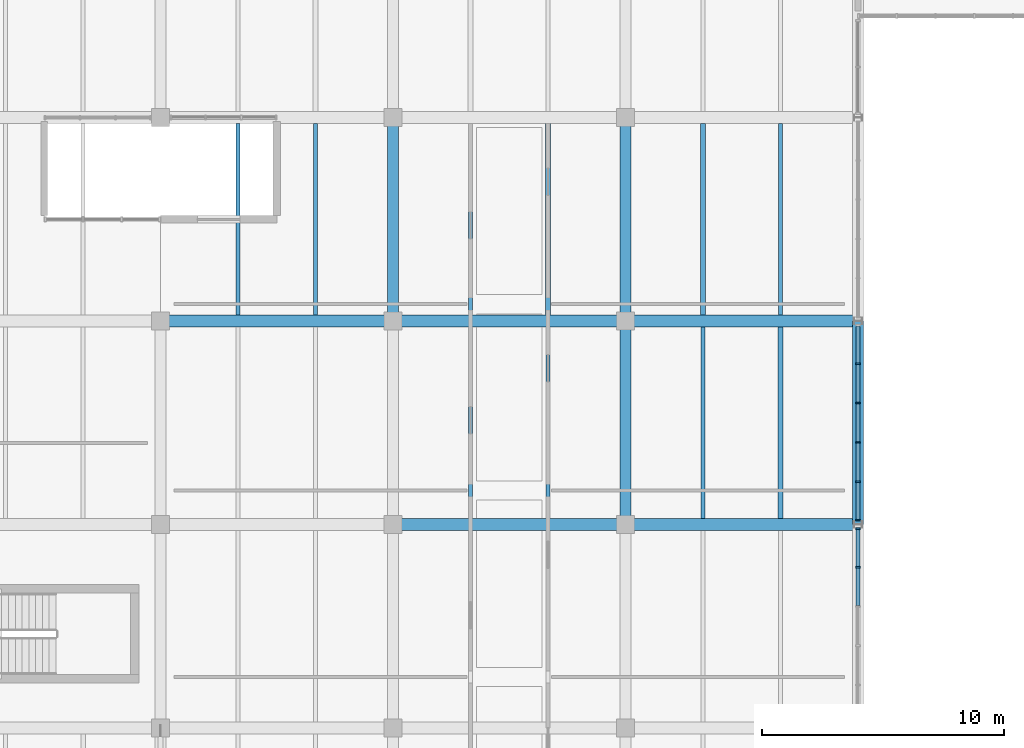
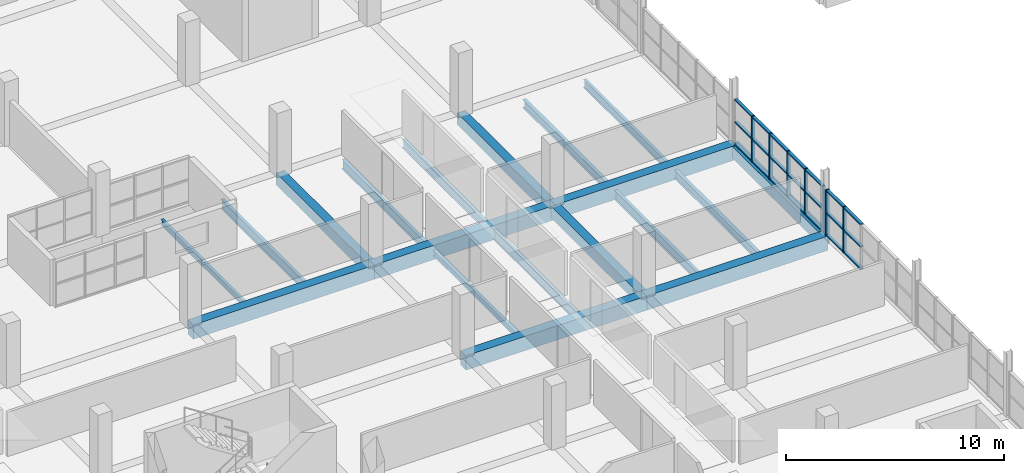
# One storey, part 34 of 147: 28 members, 19 beams, 2 elements without a shape of their own.
"""IFC4 building model written with IfcOpenShell, lengths in metres."""

from ifc_helpers import new_model, si_unit, direction, frame, origin, origin_2d, place, context, subcontext, project, spatial, rectangle, i_section, extrude, material, material_profile, profile_set, type_object, element, aggregate, save


model = new_model("IFC4")

# Units and contexts
model_context = context("Model", 3, precision=1e-05, world=origin(), true_north=direction((0.0, 1.0)))
body_context = subcontext(model_context, "Body", "Model", "MODEL_VIEW")
ifc_project = project(units=[si_unit("LENGTHUNIT", "METRE"), si_unit("AREAUNIT", "SQUARE_METRE"), si_unit("VOLUMEUNIT", "CUBIC_METRE"), si_unit("PLANEANGLEUNIT", "RADIAN"), si_unit("MASSUNIT", "GRAM", prefix="KILO")], contexts=[model_context])

# Site, building, storey
site_placement = place(None, origin())
site = spatial("IfcSite", under=ifc_project, at=site_placement, CompositionType="ELEMENT")
building_placement = place(site_placement, origin())
building = spatial("IfcBuilding", under=site, at=building_placement, Name="Oolite Switchyard Hospital", CompositionType="ELEMENT")
storey_placement = place(building_placement, frame((0.0, 0.0, 9.89990234375)))
storey = spatial("IfcBuildingStorey", under=building, at=storey_placement, Name="L02", CompositionType="ELEMENT", Elevation=9.89990234375)

# Beams
ifc_material_1 = material(Name="Concrete C40/50", Category="concrete")
ifc_material_profile_1 = material_profile(ifc_material_1, rectangle(XDim=0.449951171875, YDim=0.64990234375, at=origin_2d()), Name="RCB450X650")
ifc_profile_set_1 = profile_set([ifc_material_profile_1], Name="Concrete C40/50")
beam_type_1 = type_object("IfcBeamType", Name="BM-RC450X650", PredefinedType="BEAM", material=ifc_profile_set_1)
beam_1_placement = place(storey_placement, frame((38.39990234375, 75.60009765625, -0.324951171875), z_axis=(0.0, 1.0, 0.0), x_axis=(-1.0, 0.0, 0.0)))
element("IfcBeam", 1, at=beam_1_placement, inside=storey, type_object=beam_type_1, Name="L02 Y-Girder 1317", PredefinedType="BEAM", context=body_context, shape_type="SweptSolid", body=[
    extrude(rectangle(XDim=0.449951171875, YDim=0.64990234375, at=origin_2d()), origin(), (0.0, 0.0, 1.0), 8.39990234375),
])
beam_2_placement = place(storey_placement, frame((48.0, 67.199951171875, -0.324951171875), z_axis=(0.0, 1.0, 0.0), x_axis=(-1.0, 0.0, 0.0)))
element("IfcBeam", 2, at=beam_2_placement, inside=storey, type_object=beam_type_1, Name="L02 Y-Girder 1332", PredefinedType="BEAM", context=body_context, shape_type="SweptSolid", body=[
    extrude(rectangle(XDim=0.449951171875, YDim=0.64990234375, at=origin_2d()), origin(), (0.0, 0.0, 1.0), 8.400146484375),
])
beam_3_placement = place(storey_placement, frame((48.0, 75.60009765625, -0.324951171875), z_axis=(0.0, 1.0, 0.0), x_axis=(-1.0, 0.0, 0.0)))
element("IfcBeam", 3, at=beam_3_placement, inside=storey, type_object=beam_type_1, Name="L02 Y-Girder 1333", PredefinedType="BEAM", context=body_context, shape_type="SweptSolid", body=[
    extrude(rectangle(XDim=0.449951171875, YDim=0.64990234375, at=origin_2d()), origin(), (0.0, 0.0, 1.0), 8.39990234375),
])
beam_4_placement = place(storey_placement, frame((57.60009765625, 67.199951171875, -0.324951171875), z_axis=(0.0, 1.0, 0.0), x_axis=(-1.0, 0.0, 0.0)))
element("IfcBeam", 4, at=beam_4_placement, inside=storey, type_object=beam_type_1, Name="L02 Y-Girder 1348", PredefinedType="BEAM", context=body_context, shape_type="SweptSolid", body=[
    extrude(rectangle(XDim=0.449951171875, YDim=0.64990234375, at=origin_2d()), origin(), (0.0, 0.0, 1.0), 8.400146484375),
])
ifc_material_profile_2 = material_profile(ifc_material_1, rectangle(XDim=0.5, YDim=0.800048828125, at=origin_2d()), Name="RCB500X800")
ifc_profile_set_2 = profile_set([ifc_material_profile_2], Name="Concrete C40/50")
beam_type_2 = type_object("IfcBeamType", Name="BM-RC500X800", PredefinedType="BEAM", material=ifc_profile_set_2)
for number, where, z_axis, x_axis, name in (
    (5, (38.39990234375, 67.199951171875, -0.39990234375), (1.0, 0.0, 0.0), (0.0, 1.0, 0.0), "L02 X-Girder 1098"),
    (6, (48.0, 67.199951171875, -0.39990234375), (1.0, 0.0, 0.0), (0.0, 1.0, 0.0), "L02 X-Girder 1099"),
):
    element("IfcBeam", number, at=place(storey_placement, frame(where, z_axis=z_axis, x_axis=x_axis)), inside=storey, type_object=beam_type_2, Name=name, PredefinedType="BEAM", context=body_context, shape_type="SweptSolid", body=[
        extrude(rectangle(XDim=0.5, YDim=0.800048828125, at=origin_2d()), origin(), (0.0, 0.0, 1.0), 9.60009765625),
    ])
beam_5_placement = place(storey_placement, frame((28.800048828125, 75.60009765625, -0.39990234375), z_axis=(1.0, 0.0, 0.0), x_axis=(0.0, 1.0, 0.0)))
element("IfcBeam", 7, at=beam_5_placement, inside=storey, type_object=beam_type_2, Name="L02 X-Girder 1113", PredefinedType="BEAM", context=body_context, shape_type="SweptSolid", body=[
    extrude(rectangle(XDim=0.5, YDim=0.800048828125, at=origin_2d()), origin(), (0.0, 0.0, 1.0), 9.599853515625),
])
for number, where, z_axis, x_axis, name in (
    (8, (38.39990234375, 75.60009765625, -0.39990234375), (1.0, 0.0, 0.0), (0.0, 1.0, 0.0), "L02 X-Girder 1114"),
    (9, (48.0, 75.60009765625, -0.39990234375), (1.0, 0.0, 0.0), (0.0, 1.0, 0.0), "L02 X-Girder 1115"),
):
    element("IfcBeam", number, at=place(storey_placement, frame(where, z_axis=z_axis, x_axis=x_axis)), inside=storey, type_object=beam_type_2, Name=name, PredefinedType="BEAM", context=body_context, shape_type="SweptSolid", body=[
        extrude(rectangle(XDim=0.5, YDim=0.800048828125, at=origin_2d()), origin(), (0.0, 0.0, 1.0), 9.60009765625),
    ])
ifc_material_2 = material(Name="Steel ASTM A992 Grade 50", Category="steel")
ifc_material_profile_3 = material_profile(ifc_material_2, i_section(OverallWidth=0.1650390625, OverallDepth=0.31005859375, WebThickness=0.006103515625, FlangeThickness=0.010009765625, at=origin_2d()), Name="W12X26")
ifc_profile_set_3 = profile_set([ifc_material_profile_3], Name="Steel ASTM A992 Grade 50")
beam_type_3 = type_object("IfcBeamType", Name="BM-W12X26", PredefinedType="JOIST", material=ifc_profile_set_3)
beam_6_placement = place(storey_placement, frame((32.0, 75.85009765625, -0.414794921875), z_axis=(0.0, 1.0, 0.0), x_axis=(-1.0, 0.0, 0.0)))
element("IfcBeam", 10, at=beam_6_placement, inside=storey, type_object=beam_type_3, Name="L02 Secondary Steel Joist 1610", PredefinedType="JOIST", context=body_context, shape_type="SweptSolid", body=[
    extrude(i_section(OverallWidth=0.1650390625, OverallDepth=0.31005859375, WebThickness=0.006103515625, FlangeThickness=0.010009765625, at=origin_2d()), origin(), (0.0, 0.0, 1.0), 7.89990234375),
])
beam_7_placement = place(storey_placement, frame((41.60009765625, 67.449951171875, -0.414794921875), z_axis=(0.0, 1.0, 0.0), x_axis=(-1.0, 0.0, 0.0)))
element("IfcBeam", 11, at=beam_7_placement, inside=storey, type_object=beam_type_3, Name="L02 Secondary Steel Joist 1638", PredefinedType="JOIST", context=body_context, shape_type="SweptSolid", body=[
    extrude(i_section(OverallWidth=0.1650390625, OverallDepth=0.31005859375, WebThickness=0.006103515625, FlangeThickness=0.010009765625, at=origin_2d()), origin(), (0.0, 0.0, 1.0), 7.900146484375),
])
ifc_material_profile_4 = material_profile(ifc_material_2, i_section(OverallWidth=0.153076171875, OverallDepth=0.455078125, WebThickness=0.008056640625, FlangeThickness=0.012939453125, at=origin_2d()), Name="W18X40")
ifc_profile_set_4 = profile_set([ifc_material_profile_4], Name="Steel ASTM A992 Grade 50")
beam_type_4 = type_object("IfcBeamType", Name="BM-W18X40", PredefinedType="JOIST", material=ifc_profile_set_4)
beam_8_placement = place(storey_placement, frame((54.39990234375, 75.85009765625, -0.48681640625), z_axis=(0.0, 1.0, 0.0), x_axis=(-1.0, 0.0, 0.0)))
element("IfcBeam", 12, at=beam_8_placement, inside=storey, type_object=beam_type_4, Name="L02 Secondary Steel Joist 1669", PredefinedType="JOIST", context=body_context, shape_type="SweptSolid", body=[
    extrude(i_section(OverallWidth=0.153076171875, OverallDepth=0.455078125, WebThickness=0.008056640625, FlangeThickness=0.012939453125, at=origin_2d()), origin(), (0.0, 0.0, 1.0), 7.89990234375),
])
ifc_material_profile_5 = material_profile(ifc_material_2, i_section(OverallWidth=0.19091796875, OverallDepth=0.4599609375, WebThickness=0.010009765625, FlangeThickness=0.01611328125, at=origin_2d()), Name="W18X55")
ifc_profile_set_5 = profile_set([ifc_material_profile_5], Name="Steel ASTM A992 Grade 50")
beam_type_5 = type_object("IfcBeamType", Name="BM-W18X55", PredefinedType="JOIST", material=ifc_profile_set_5)
beam_9_placement = place(storey_placement, frame((44.800048828125, 75.85009765625, -0.489990234375), z_axis=(0.0, 1.0, 0.0), x_axis=(-1.0, 0.0, 0.0)))
element("IfcBeam", 13, at=beam_9_placement, inside=storey, type_object=beam_type_5, Name="L02 Secondary Steel Joist 1641", PredefinedType="JOIST", context=body_context, shape_type="SweptSolid", body=[
    extrude(i_section(OverallWidth=0.19091796875, OverallDepth=0.4599609375, WebThickness=0.010009765625, FlangeThickness=0.01611328125, at=origin_2d()), origin(), (0.0, 0.0, 1.0), 7.89990234375),
])
beam_10_placement = place(storey_placement, frame((54.39990234375, 67.449951171875, -0.489990234375), z_axis=(0.0, 1.0, 0.0), x_axis=(-1.0, 0.0, 0.0)))
element("IfcBeam", 14, at=beam_10_placement, inside=storey, type_object=beam_type_5, Name="L02 Secondary Steel Joist 1667", PredefinedType="JOIST", context=body_context, shape_type="SweptSolid", body=[
    extrude(i_section(OverallWidth=0.19091796875, OverallDepth=0.4599609375, WebThickness=0.010009765625, FlangeThickness=0.01611328125, at=origin_2d()), origin(), (0.0, 0.0, 1.0), 7.900146484375),
])
beam_11_placement = place(storey_placement, frame((51.199951171875, 75.85009765625, -0.489990234375), z_axis=(0.0, 1.0, 0.0), x_axis=(-1.0, 0.0, 0.0)))
element("IfcBeam", 15, at=beam_11_placement, inside=storey, type_object=beam_type_5, Name="L02 Secondary Steel Joist 1668", PredefinedType="JOIST", context=body_context, shape_type="SweptSolid", body=[
    extrude(i_section(OverallWidth=0.19091796875, OverallDepth=0.4599609375, WebThickness=0.010009765625, FlangeThickness=0.01611328125, at=origin_2d()), origin(), (0.0, 0.0, 1.0), 7.89990234375),
])
ifc_material_profile_6 = material_profile(ifc_material_2, i_section(OverallWidth=0.166015625, OverallDepth=0.529052734375, WebThickness=0.010009765625, FlangeThickness=0.013916015625, at=origin_2d()), Name="W21X50")
ifc_profile_set_6 = profile_set([ifc_material_profile_6], Name="Steel ASTM A992 Grade 50")
beam_type_6 = type_object("IfcBeamType", Name="BM-W21X50", PredefinedType="JOIST", material=ifc_profile_set_6)
beam_12_placement = place(storey_placement, frame((35.199951171875, 75.85009765625, -0.52392578125), z_axis=(0.0, 1.0, 0.0), x_axis=(-1.0, 0.0, 0.0)))
element("IfcBeam", 16, at=beam_12_placement, inside=storey, type_object=beam_type_6, Name="L02 Secondary Steel Joist 1611", PredefinedType="JOIST", context=body_context, shape_type="SweptSolid", body=[
    extrude(i_section(OverallWidth=0.166015625, OverallDepth=0.529052734375, WebThickness=0.010009765625, FlangeThickness=0.013916015625, at=origin_2d()), origin(), (0.0, 0.0, 1.0), 7.89990234375),
])
beam_13_placement = place(storey_placement, frame((44.800048828125, 67.449951171875, -0.52392578125), z_axis=(0.0, 1.0, 0.0), x_axis=(-1.0, 0.0, 0.0)))
element("IfcBeam", 17, at=beam_13_placement, inside=storey, type_object=beam_type_6, Name="L02 Secondary Steel Joist 1639", PredefinedType="JOIST", context=body_context, shape_type="SweptSolid", body=[
    extrude(i_section(OverallWidth=0.166015625, OverallDepth=0.529052734375, WebThickness=0.010009765625, FlangeThickness=0.013916015625, at=origin_2d()), origin(), (0.0, 0.0, 1.0), 7.900146484375),
])
beam_14_placement = place(storey_placement, frame((41.60009765625, 75.85009765625, -0.52392578125), z_axis=(0.0, 1.0, 0.0), x_axis=(-1.0, 0.0, 0.0)))
element("IfcBeam", 18, at=beam_14_placement, inside=storey, type_object=beam_type_6, Name="L02 Secondary Steel Joist 1640", PredefinedType="JOIST", context=body_context, shape_type="SweptSolid", body=[
    extrude(i_section(OverallWidth=0.166015625, OverallDepth=0.529052734375, WebThickness=0.010009765625, FlangeThickness=0.013916015625, at=origin_2d()), origin(), (0.0, 0.0, 1.0), 7.89990234375),
])
beam_15_placement = place(storey_placement, frame((51.199951171875, 67.449951171875, -0.52392578125), z_axis=(0.0, 1.0, 0.0), x_axis=(-1.0, 0.0, 0.0)))
element("IfcBeam", 19, at=beam_15_placement, inside=storey, type_object=beam_type_6, Name="L02 Secondary Steel Joist 1666", PredefinedType="JOIST", context=body_context, shape_type="SweptSolid", body=[
    extrude(i_section(OverallWidth=0.166015625, OverallDepth=0.529052734375, WebThickness=0.010009765625, FlangeThickness=0.013916015625, at=origin_2d()), origin(), (0.0, 0.0, 1.0), 7.900146484375),
])

# Curtain wall, members
ifc_material_3 = material(Name="Thermally broken aluminum frame with laminated impact glazing", Category="aluminium")
curtain_wall_type = type_object("IfcCurtainWallType", Name="CW-UNIT-84X36", PredefinedType="USERDEFINED", material=ifc_material_3)
curtain_wall_1_placement = place(storey_placement, origin())
curtain_wall_1 = element("IfcCurtainWall", 20, at=curtain_wall_1_placement, inside=storey, type_object=curtain_wall_type, Name="L02 Unitised Curtain Wall 281", ObjectType="UNITISED", PredefinedType="USERDEFINED")
ifc_material_4 = material(Name="Aluminium 6063-T6", Category="aluminium")
ifc_material_profile_7 = material_profile(ifc_material_4, rectangle(XDim=0.179931640625, YDim=0.070068359375, at=origin_2d()), Name="CWM70X180")
ifc_profile_set_7 = profile_set([ifc_material_profile_7], Name="Aluminium 6063-T6")
member_type_1 = type_object("IfcMemberType", Name="CW-MUL-220", PredefinedType="MULLION", material=ifc_profile_set_7)
member_1_placement = place(storey_placement, frame((57.60009765625, 67.02294921875, 0.0), z_axis=(0.0, 0.0, 1.0), x_axis=(1.0, 0.0, 0.0)))
member_1 = element("IfcMember", 21, at=member_1_placement, type_object=member_type_1, Name="CW-08 mullion 1", PredefinedType="MULLION", context=body_context, shape_type="SweptSolid", body=[
    extrude(rectangle(XDim=0.179931640625, YDim=0.070068359375, at=origin_2d()), origin(), (0.0, 0.0, 1.0), 2.570068359375),
])
member_2_placement = place(storey_placement, frame((57.60009765625, 65.434814453125, 0.0), z_axis=(0.0, 0.0, 1.0), x_axis=(1.0, 0.0, 0.0)))
member_2 = element("IfcMember", 22, at=member_2_placement, type_object=member_type_1, Name="CW-08 mullion 2", PredefinedType="MULLION", context=body_context, shape_type="SweptSolid", body=[
    extrude(rectangle(XDim=0.179931640625, YDim=0.070068359375, at=origin_2d()), origin(), (0.0, 0.0, 1.0), 2.570068359375),
])

curtain_wall_2_placement = place(storey_placement, origin())
curtain_wall_2 = element("IfcCurtainWall", 23, at=curtain_wall_2_placement, inside=storey, type_object=curtain_wall_type, Name="L02 Unitised Curtain Wall 287", ObjectType="UNITISED", PredefinedType="USERDEFINED")
member_3_placement = place(storey_placement, frame((57.60009765625, 73.834716796875, 0.0), z_axis=(0.0, 0.0, 1.0), x_axis=(1.0, 0.0, 0.0)))
member_3 = element("IfcMember", 24, at=member_3_placement, type_object=member_type_1, Name="CW-08 mullion 2", PredefinedType="MULLION", context=body_context, shape_type="SweptSolid", body=[
    extrude(rectangle(XDim=0.179931640625, YDim=0.070068359375, at=origin_2d()), origin(), (0.0, 0.0, 1.0), 2.570068359375),
])
member_4_placement = place(storey_placement, frame((57.60009765625, 72.211669921875, 0.0), z_axis=(0.0, 0.0, 1.0), x_axis=(1.0, 0.0, 0.0)))
member_4 = element("IfcMember", 25, at=member_4_placement, type_object=member_type_1, Name="CW-08 mullion 3", PredefinedType="MULLION", context=body_context, shape_type="SweptSolid", body=[
    extrude(rectangle(XDim=0.179931640625, YDim=0.070068359375, at=origin_2d()), origin(), (0.0, 0.0, 1.0), 2.570068359375),
])
member_5_placement = place(storey_placement, frame((57.60009765625, 70.58837890625, 0.0), z_axis=(0.0, 0.0, 1.0), x_axis=(1.0, 0.0, 0.0)))
member_5 = element("IfcMember", 26, at=member_5_placement, type_object=member_type_1, Name="CW-08 mullion 4", PredefinedType="MULLION", context=body_context, shape_type="SweptSolid", body=[
    extrude(rectangle(XDim=0.179931640625, YDim=0.070068359375, at=origin_2d()), origin(), (0.0, 0.0, 1.0), 2.570068359375),
])
member_6_placement = place(storey_placement, frame((57.60009765625, 68.965087890625, 0.0), z_axis=(0.0, 0.0, 1.0), x_axis=(1.0, 0.0, 0.0)))
member_6 = element("IfcMember", 27, at=member_6_placement, type_object=member_type_1, Name="CW-08 mullion 5", PredefinedType="MULLION", context=body_context, shape_type="SweptSolid", body=[
    extrude(rectangle(XDim=0.179931640625, YDim=0.070068359375, at=origin_2d()), origin(), (0.0, 0.0, 1.0), 2.570068359375),
])
member_7_placement = place(storey_placement, frame((57.60009765625, 67.376953125, 0.0), z_axis=(0.0, 0.0, 1.0), x_axis=(1.0, 0.0, 0.0)))
member_7 = element("IfcMember", 28, at=member_7_placement, type_object=member_type_1, Name="CW-08 mullion 6", PredefinedType="MULLION", context=body_context, shape_type="SweptSolid", body=[
    extrude(rectangle(XDim=0.179931640625, YDim=0.070068359375, at=origin_2d()), origin(), (0.0, 0.0, 1.0), 2.570068359375),
])

# Member
ifc_material_profile_8 = material_profile(ifc_material_4, rectangle(XDim=0.159912109375, YDim=0.074951171875, at=origin_2d()), Name="CWT75X160")
ifc_profile_set_8 = profile_set([ifc_material_profile_8], Name="Aluminium 6063-T6")
member_type_2 = type_object("IfcMemberType", Name="CW-TRN-180", PredefinedType="USERDEFINED", material=ifc_profile_set_8)
member_8_placement = place(storey_placement, frame((57.60009765625, 66.988037109375, 0.03759765625), z_axis=(0.0, -1.0, 0.0), x_axis=(1.0, 0.0, 0.0)))
member_8 = element("IfcMember", 29, at=member_8_placement, type_object=member_type_2, Name="CW-08 transom 1.1", ObjectType="TRANSOM", PredefinedType="USERDEFINED", context=body_context, shape_type="SweptSolid", body=[
    extrude(rectangle(XDim=0.159912109375, YDim=0.074951171875, at=origin_2d()), origin(), (0.0, 0.0, 1.0), 1.518310546875),
])

member_9_placement = place(storey_placement, frame((57.60009765625, 66.988037109375, 1.28515625), z_axis=(0.0, -1.0, 0.0), x_axis=(1.0, 0.0, 0.0)))
member_9 = element("IfcMember", 30, at=member_9_placement, type_object=member_type_2, Name="CW-08 transom 1.2", ObjectType="TRANSOM", PredefinedType="USERDEFINED", context=body_context, shape_type="SweptSolid", body=[
    extrude(rectangle(XDim=0.159912109375, YDim=0.074951171875, at=origin_2d()), origin(), (0.0, 0.0, 1.0), 1.518310546875),
])

member_10_placement = place(storey_placement, frame((57.60009765625, 66.988037109375, 2.53271484375), z_axis=(0.0, -1.0, 0.0), x_axis=(1.0, 0.0, 0.0)))
member_10 = element("IfcMember", 31, at=member_10_placement, type_object=member_type_2, Name="CW-08 transom 1.3", ObjectType="TRANSOM", PredefinedType="USERDEFINED", context=body_context, shape_type="SweptSolid", body=[
    extrude(rectangle(XDim=0.159912109375, YDim=0.074951171875, at=origin_2d()), origin(), (0.0, 0.0, 1.0), 1.518310546875),
])

member_11_placement = place(storey_placement, frame((57.60009765625, 65.39990234375, 0.03759765625), z_axis=(0.0, -1.0, 0.0), x_axis=(1.0, 0.0, 0.0)))
member_11 = element("IfcMember", 32, at=member_11_placement, type_object=member_type_2, Name="CW-08 transom 2.1", ObjectType="TRANSOM", PredefinedType="USERDEFINED", context=body_context, shape_type="SweptSolid", body=[
    extrude(rectangle(XDim=0.159912109375, YDim=0.074951171875, at=origin_2d()), origin(), (0.0, 0.0, 1.0), 1.55322265625),
])

member_12_placement = place(storey_placement, frame((57.60009765625, 65.39990234375, 1.28515625), z_axis=(0.0, -1.0, 0.0), x_axis=(1.0, 0.0, 0.0)))
member_12 = element("IfcMember", 33, at=member_12_placement, type_object=member_type_2, Name="CW-08 transom 2.2", ObjectType="TRANSOM", PredefinedType="USERDEFINED", context=body_context, shape_type="SweptSolid", body=[
    extrude(rectangle(XDim=0.159912109375, YDim=0.074951171875, at=origin_2d()), origin(), (0.0, 0.0, 1.0), 1.55322265625),
])

member_13_placement = place(storey_placement, frame((57.60009765625, 65.39990234375, 2.53271484375), z_axis=(0.0, -1.0, 0.0), x_axis=(1.0, 0.0, 0.0)))
member_13 = element("IfcMember", 34, at=member_13_placement, type_object=member_type_2, Name="CW-08 transom 2.3", ObjectType="TRANSOM", PredefinedType="USERDEFINED", context=body_context, shape_type="SweptSolid", body=[
    extrude(rectangle(XDim=0.159912109375, YDim=0.074951171875, at=origin_2d()), origin(), (0.0, 0.0, 1.0), 1.55322265625),
])

aggregate(curtain_wall_1, [member_1, member_2, member_8, member_9, member_10, member_11, member_12, member_13])

member_14_placement = place(storey_placement, frame((57.60009765625, 75.387939453125, 0.03759765625), z_axis=(0.0, -1.0, 0.0), x_axis=(1.0, 0.0, 0.0)))
member_14 = element("IfcMember", 35, at=member_14_placement, type_object=member_type_2, Name="CW-08 transom 1.1", ObjectType="TRANSOM", PredefinedType="USERDEFINED", context=body_context, shape_type="SweptSolid", body=[
    extrude(rectangle(XDim=0.159912109375, YDim=0.074951171875, at=origin_2d()), origin(), (0.0, 0.0, 1.0), 1.51806640625),
])

member_15_placement = place(storey_placement, frame((57.60009765625, 75.387939453125, 1.28515625), z_axis=(0.0, -1.0, 0.0), x_axis=(1.0, 0.0, 0.0)))
member_15 = element("IfcMember", 36, at=member_15_placement, type_object=member_type_2, Name="CW-08 transom 1.2", ObjectType="TRANSOM", PredefinedType="USERDEFINED", context=body_context, shape_type="SweptSolid", body=[
    extrude(rectangle(XDim=0.159912109375, YDim=0.074951171875, at=origin_2d()), origin(), (0.0, 0.0, 1.0), 1.51806640625),
])

member_16_placement = place(storey_placement, frame((57.60009765625, 75.387939453125, 2.53271484375), z_axis=(0.0, -1.0, 0.0), x_axis=(1.0, 0.0, 0.0)))
member_16 = element("IfcMember", 37, at=member_16_placement, type_object=member_type_2, Name="CW-08 transom 1.3", ObjectType="TRANSOM", PredefinedType="USERDEFINED", context=body_context, shape_type="SweptSolid", body=[
    extrude(rectangle(XDim=0.159912109375, YDim=0.074951171875, at=origin_2d()), origin(), (0.0, 0.0, 1.0), 1.51806640625),
])

member_17_placement = place(storey_placement, frame((57.60009765625, 73.7998046875, 0.03759765625), z_axis=(0.0, -1.0, 0.0), x_axis=(1.0, 0.0, 0.0)))
member_17 = element("IfcMember", 38, at=member_17_placement, type_object=member_type_2, Name="CW-08 transom 2.1", ObjectType="TRANSOM", PredefinedType="USERDEFINED", context=body_context, shape_type="SweptSolid", body=[
    extrude(rectangle(XDim=0.159912109375, YDim=0.074951171875, at=origin_2d()), origin(), (0.0, 0.0, 1.0), 1.55322265625),
])

member_18_placement = place(storey_placement, frame((57.60009765625, 73.7998046875, 1.28515625), z_axis=(0.0, -1.0, 0.0), x_axis=(1.0, 0.0, 0.0)))
member_18 = element("IfcMember", 39, at=member_18_placement, type_object=member_type_2, Name="CW-08 transom 2.2", ObjectType="TRANSOM", PredefinedType="USERDEFINED", context=body_context, shape_type="SweptSolid", body=[
    extrude(rectangle(XDim=0.159912109375, YDim=0.074951171875, at=origin_2d()), origin(), (0.0, 0.0, 1.0), 1.55322265625),
])

member_19_placement = place(storey_placement, frame((57.60009765625, 73.7998046875, 2.53271484375), z_axis=(0.0, -1.0, 0.0), x_axis=(1.0, 0.0, 0.0)))
member_19 = element("IfcMember", 40, at=member_19_placement, type_object=member_type_2, Name="CW-08 transom 2.3", ObjectType="TRANSOM", PredefinedType="USERDEFINED", context=body_context, shape_type="SweptSolid", body=[
    extrude(rectangle(XDim=0.159912109375, YDim=0.074951171875, at=origin_2d()), origin(), (0.0, 0.0, 1.0), 1.55322265625),
])

member_20_placement = place(storey_placement, frame((57.60009765625, 72.176513671875, 0.03759765625), z_axis=(0.0, -1.0, 0.0), x_axis=(1.0, 0.0, 0.0)))
member_20 = element("IfcMember", 41, at=member_20_placement, type_object=member_type_2, Name="CW-08 transom 3.1", ObjectType="TRANSOM", PredefinedType="USERDEFINED", context=body_context, shape_type="SweptSolid", body=[
    extrude(rectangle(XDim=0.159912109375, YDim=0.074951171875, at=origin_2d()), origin(), (0.0, 0.0, 1.0), 1.55322265625),
])

member_21_placement = place(storey_placement, frame((57.60009765625, 72.176513671875, 1.28515625), z_axis=(0.0, -1.0, 0.0), x_axis=(1.0, 0.0, 0.0)))
member_21 = element("IfcMember", 42, at=member_21_placement, type_object=member_type_2, Name="CW-08 transom 3.2", ObjectType="TRANSOM", PredefinedType="USERDEFINED", context=body_context, shape_type="SweptSolid", body=[
    extrude(rectangle(XDim=0.159912109375, YDim=0.074951171875, at=origin_2d()), origin(), (0.0, 0.0, 1.0), 1.55322265625),
])

member_22_placement = place(storey_placement, frame((57.60009765625, 72.176513671875, 2.53271484375), z_axis=(0.0, -1.0, 0.0), x_axis=(1.0, 0.0, 0.0)))
member_22 = element("IfcMember", 43, at=member_22_placement, type_object=member_type_2, Name="CW-08 transom 3.3", ObjectType="TRANSOM", PredefinedType="USERDEFINED", context=body_context, shape_type="SweptSolid", body=[
    extrude(rectangle(XDim=0.159912109375, YDim=0.074951171875, at=origin_2d()), origin(), (0.0, 0.0, 1.0), 1.55322265625),
])

member_23_placement = place(storey_placement, frame((57.60009765625, 70.553466796875, 0.03759765625), z_axis=(0.0, -1.0, 0.0), x_axis=(1.0, 0.0, 0.0)))
member_23 = element("IfcMember", 44, at=member_23_placement, type_object=member_type_2, Name="CW-08 transom 4.1", ObjectType="TRANSOM", PredefinedType="USERDEFINED", context=body_context, shape_type="SweptSolid", body=[
    extrude(rectangle(XDim=0.159912109375, YDim=0.074951171875, at=origin_2d()), origin(), (0.0, 0.0, 1.0), 1.55322265625),
])

member_24_placement = place(storey_placement, frame((57.60009765625, 70.553466796875, 1.28515625), z_axis=(0.0, -1.0, 0.0), x_axis=(1.0, 0.0, 0.0)))
member_24 = element("IfcMember", 45, at=member_24_placement, type_object=member_type_2, Name="CW-08 transom 4.2", ObjectType="TRANSOM", PredefinedType="USERDEFINED", context=body_context, shape_type="SweptSolid", body=[
    extrude(rectangle(XDim=0.159912109375, YDim=0.074951171875, at=origin_2d()), origin(), (0.0, 0.0, 1.0), 1.55322265625),
])

member_25_placement = place(storey_placement, frame((57.60009765625, 70.553466796875, 2.53271484375), z_axis=(0.0, -1.0, 0.0), x_axis=(1.0, 0.0, 0.0)))
member_25 = element("IfcMember", 46, at=member_25_placement, type_object=member_type_2, Name="CW-08 transom 4.3", ObjectType="TRANSOM", PredefinedType="USERDEFINED", context=body_context, shape_type="SweptSolid", body=[
    extrude(rectangle(XDim=0.159912109375, YDim=0.074951171875, at=origin_2d()), origin(), (0.0, 0.0, 1.0), 1.55322265625),
])

member_26_placement = place(storey_placement, frame((57.60009765625, 68.93017578125, 0.03759765625), z_axis=(0.0, -1.0, 0.0), x_axis=(1.0, 0.0, 0.0)))
member_26 = element("IfcMember", 47, at=member_26_placement, type_object=member_type_2, Name="CW-08 transom 5.1", ObjectType="TRANSOM", PredefinedType="USERDEFINED", context=body_context, shape_type="SweptSolid", body=[
    extrude(rectangle(XDim=0.159912109375, YDim=0.074951171875, at=origin_2d()), origin(), (0.0, 0.0, 1.0), 1.51806640625),
])

member_27_placement = place(storey_placement, frame((57.60009765625, 68.93017578125, 1.28515625), z_axis=(0.0, -1.0, 0.0), x_axis=(1.0, 0.0, 0.0)))
member_27 = element("IfcMember", 48, at=member_27_placement, type_object=member_type_2, Name="CW-08 transom 5.2", ObjectType="TRANSOM", PredefinedType="USERDEFINED", context=body_context, shape_type="SweptSolid", body=[
    extrude(rectangle(XDim=0.159912109375, YDim=0.074951171875, at=origin_2d()), origin(), (0.0, 0.0, 1.0), 1.51806640625),
])

member_28_placement = place(storey_placement, frame((57.60009765625, 68.93017578125, 2.53271484375), z_axis=(0.0, -1.0, 0.0), x_axis=(1.0, 0.0, 0.0)))
member_28 = element("IfcMember", 49, at=member_28_placement, type_object=member_type_2, Name="CW-08 transom 5.3", ObjectType="TRANSOM", PredefinedType="USERDEFINED", context=body_context, shape_type="SweptSolid", body=[
    extrude(rectangle(XDim=0.159912109375, YDim=0.074951171875, at=origin_2d()), origin(), (0.0, 0.0, 1.0), 1.51806640625),
])

aggregate(curtain_wall_2, [member_3, member_4, member_5, member_6, member_7, member_14, member_15, member_16, member_17, member_18, member_19, member_20, member_21, member_22, member_23, member_24, member_25, member_26, member_27, member_28])

save(model, "model.ifc")
